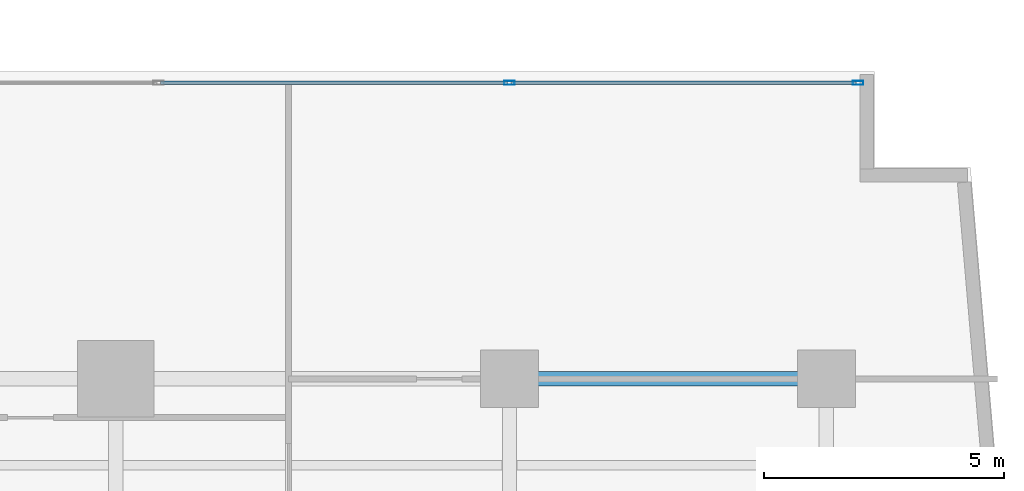
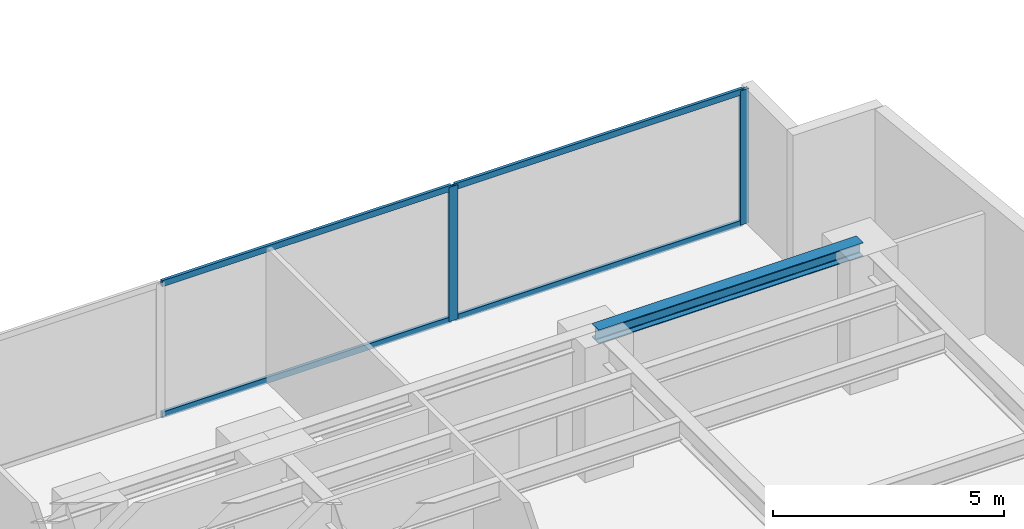
# One storey, part 14 of 30: 6 members, 1 beam, 1 element without a shape of its own.
"""IFC4 building model written with IfcOpenShell, lengths in metres."""

from ifc_helpers import new_model, si_unit, direction, frame, origin, origin_with_axes, origin_2d, place, context, subcontext, project, spatial, hollow_rectangle, i_section, extrude, source, transform, mapped, material, layer, layer_set, material_profile, profile_set, type_object, element, aggregate, save


model = new_model("IFC4")

# Units and contexts
model_context = context("Model", 3, precision=1e-05, world=origin(), true_north=direction((0.0, 1.0)))
body_context = subcontext(model_context, "Body", "Model", "MODEL_VIEW")
ifc_project = project(units=[si_unit("LENGTHUNIT", "METRE"), si_unit("AREAUNIT", "SQUARE_METRE"), si_unit("VOLUMEUNIT", "CUBIC_METRE"), si_unit("PLANEANGLEUNIT", "RADIAN"), si_unit("MASSUNIT", "GRAM", prefix="KILO")], contexts=[model_context])

# Site, building, storey
site_placement = place(None, origin())
site = spatial("IfcSite", under=ifc_project, at=site_placement, CompositionType="ELEMENT")
building_placement = place(site_placement, origin())
building = spatial("IfcBuilding", under=site, at=building_placement, Name="Kolvaren Waterfront Exchange", CompositionType="ELEMENT")
storey_placement = place(building_placement, frame((0.0, 0.0, 52.39990234375)))
storey = spatial("IfcBuildingStorey", under=building, at=storey_placement, Name="L13", CompositionType="ELEMENT", Elevation=52.39990234375)

# Beam
ifc_material_1 = material(Name="Steel S355", Category="steel")
ifc_material_profile_1 = material_profile(ifc_material_1, i_section(OverallWidth=0.300048828125, OverallDepth=0.360107421875, WebThickness=0.012451171875, FlangeThickness=0.0224609375, FilletRadius=0.027099609375, at=origin_2d()), Name="HEB360")
ifc_profile_set_1 = profile_set([ifc_material_profile_1], Name="Steel S355")
beam_type = type_object("IfcBeamType", Name="STR-BM-HEB360", PredefinedType="SPANDREL", material=ifc_profile_set_1)
beam_placement = place(storey_placement, frame((53.800048828125, 17.39990234375, 3.360107421875), z_axis=(1.0, 0.0, 0.0), x_axis=(0.0, 1.0, 0.0)))
element("IfcBeam", 1, at=beam_placement, inside=storey, type_object=beam_type, Name="L13 east-arm spandrel N5", PredefinedType="SPANDREL", context=body_context, shape_type="SweptSolid", body=[
    extrude(i_section(OverallWidth=0.300048828125, OverallDepth=0.360107421875, WebThickness=0.012451171875, FlangeThickness=0.0224609375, FilletRadius=0.027099609375, at=origin_2d()), origin(), (0.0, 0.0, 1.0), 6.599853515625),
])

# Curtain wall, members
ifc_material_2 = material(Name="Anodised bronze aluminium 6063-T6", Category="aluminium")
ifc_layer = layer(ifc_material_2, 0.219970703125, Name="Anodised bronze aluminium 6063-T6")
ifc_layer_set = layer_set([ifc_layer], Name="Anodised bronze aluminium 6063-T6")
curtain_wall_type = type_object("IfcCurtainWallType", Name="ARC-CW-SYS1", PredefinedType="USERDEFINED", material=ifc_layer_set)
curtain_wall_placement = place(storey_placement, origin())
curtain_wall = element("IfcCurtainWall", 2, at=curtain_wall_placement, inside=storey, type_object=curtain_wall_type, Name="L13 stick curtain wall CW1 (CW-L13-EN)", ObjectType="STICK CURTAIN WALL", PredefinedType="USERDEFINED")
ifc_material_3 = material(Name="Anodised aluminium 6063-T6", Category="aluminium")
ifc_material_profile_2 = material_profile(ifc_material_3, hollow_rectangle(XDim=0.074951171875, YDim=0.159912109375, WallThickness=0.00439453125, at=origin_2d()), Name="ALU-TRN-160x75x4.5")
ifc_profile_set_2 = profile_set([ifc_material_profile_2], Name="Anodised aluminium 6063-T6")
member_type_1 = type_object("IfcMemberType", Name="ARC-CWT-160", PredefinedType="USERDEFINED", material=ifc_profile_set_2)
shared_shape_1 = source(origin_with_axes(), body_context, "Body", "SweptSolid", [
    extrude(hollow_rectangle(XDim=0.074951171875, YDim=0.159912109375, WallThickness=0.00439453125, at=origin_2d()), origin(), (0.0, 0.0, 1.0), 7.1826171875),
])
member_1_placement = place(storey_placement, frame((53.83740234375, 23.56005859375, 0.03759765625), z_axis=(1.0, 0.0, 0.0), x_axis=(0.0, 1.0, 0.0)))
member_1 = element("IfcMember", 3, at=member_1_placement, type_object=member_type_1, Name="CW1 transom 4.1", ObjectType="TRANSOM", PredefinedType="USERDEFINED", context=body_context, shape_type="MappedRepresentation", body=[
    mapped(shared_shape_1, transform((0.0, 0.0, 0.0), x_axis=(1.0, 0.0, 0.0), y_axis=(0.0, 1.0, 0.0), z_axis=(0.0, 0.0, 1.0), scale=1.0)),
])
member_2_placement = place(storey_placement, frame((53.83740234375, 23.56005859375, 3.502685546875), z_axis=(1.0, 0.0, 0.0), x_axis=(0.0, 1.0, 0.0)))
member_2 = element("IfcMember", 4, at=member_2_placement, type_object=member_type_1, Name="CW1 transom 4.2", ObjectType="TRANSOM", PredefinedType="USERDEFINED", context=body_context, shape_type="MappedRepresentation", body=[
    mapped(shared_shape_1, transform((0.0, 0.0, 0.0), x_axis=(1.0, 0.0, 0.0), y_axis=(0.0, 1.0, 0.0), z_axis=(0.0, 0.0, 1.0), scale=1.0)),
])
shared_shape_2 = source(origin_with_axes(), body_context, "Body", "SweptSolid", [
    extrude(hollow_rectangle(XDim=0.074951171875, YDim=0.159912109375, WallThickness=0.00439453125, at=origin_2d()), origin(), (0.0, 0.0, 1.0), 7.22265625),
])
member_3_placement = place(storey_placement, frame((46.534912109375, 23.56005859375, 0.03759765625), z_axis=(1.0, 0.0, 0.0), x_axis=(0.0, 1.0, 0.0)))
member_3 = element("IfcMember", 5, at=member_3_placement, type_object=member_type_1, Name="CW1 transom 3.1", ObjectType="TRANSOM", PredefinedType="USERDEFINED", context=body_context, shape_type="MappedRepresentation", body=[
    mapped(shared_shape_2, transform((0.0, 0.0, 0.0), x_axis=(1.0, 0.0, 0.0), y_axis=(0.0, 1.0, 0.0), z_axis=(0.0, 0.0, 1.0), scale=1.0)),
])
member_4_placement = place(storey_placement, frame((46.534912109375, 23.56005859375, 3.502685546875), z_axis=(1.0, 0.0, 0.0), x_axis=(0.0, 1.0, 0.0)))
member_4 = element("IfcMember", 6, at=member_4_placement, type_object=member_type_1, Name="CW1 transom 3.2", ObjectType="TRANSOM", PredefinedType="USERDEFINED", context=body_context, shape_type="MappedRepresentation", body=[
    mapped(shared_shape_2, transform((0.0, 0.0, 0.0), x_axis=(1.0, 0.0, 0.0), y_axis=(0.0, 1.0, 0.0), z_axis=(0.0, 0.0, 1.0), scale=1.0)),
])
ifc_material_profile_3 = material_profile(ifc_material_3, hollow_rectangle(XDim=0.080078125, YDim=0.219970703125, WallThickness=0.0048828125, at=origin_2d()), Name="ALU-MUL-220x80x5")
ifc_profile_set_3 = profile_set([ifc_material_profile_3], Name="Anodised aluminium 6063-T6")
member_type_2 = type_object("IfcMemberType", Name="ARC-CWM-220", PredefinedType="MULLION", material=ifc_profile_set_3)
shared_shape_3 = source(origin_with_axes(), body_context, "Body", "SweptSolid", [
    extrude(hollow_rectangle(XDim=0.080078125, YDim=0.219970703125, WallThickness=0.0048828125, at=origin_2d()), origin(), (0.0, 0.0, 1.0), 3.5400390625),
])
member_5_placement = place(storey_placement, frame((53.797607421875, 23.56005859375, 0.0), z_axis=(0.0, 0.0, 1.0), x_axis=(0.0, 1.0, 0.0)))
member_5 = element("IfcMember", 7, at=member_5_placement, type_object=member_type_2, Name="CW1 mullion 4", PredefinedType="MULLION", context=body_context, shape_type="MappedRepresentation", body=[
    mapped(shared_shape_3, transform((0.0, 0.0, 0.0), x_axis=(1.0, 0.0, 0.0), y_axis=(0.0, 1.0, 0.0), z_axis=(0.0, 0.0, 1.0), scale=1.0)),
])
member_6_placement = place(storey_placement, frame((61.06005859375, 23.56005859375, 0.0), z_axis=(0.0, 0.0, 1.0), x_axis=(0.0, 1.0, 0.0)))
member_6 = element("IfcMember", 8, at=member_6_placement, type_object=member_type_2, Name="CW1 mullion 5", PredefinedType="MULLION", context=body_context, shape_type="MappedRepresentation", body=[
    mapped(shared_shape_3, transform((0.0, 0.0, 0.0), x_axis=(1.0, 0.0, 0.0), y_axis=(0.0, 1.0, 0.0), z_axis=(0.0, 0.0, 1.0), scale=1.0)),
])
aggregate(curtain_wall, [member_5, member_6, member_3, member_4, member_1, member_2])

save(model, "model.ifc")
